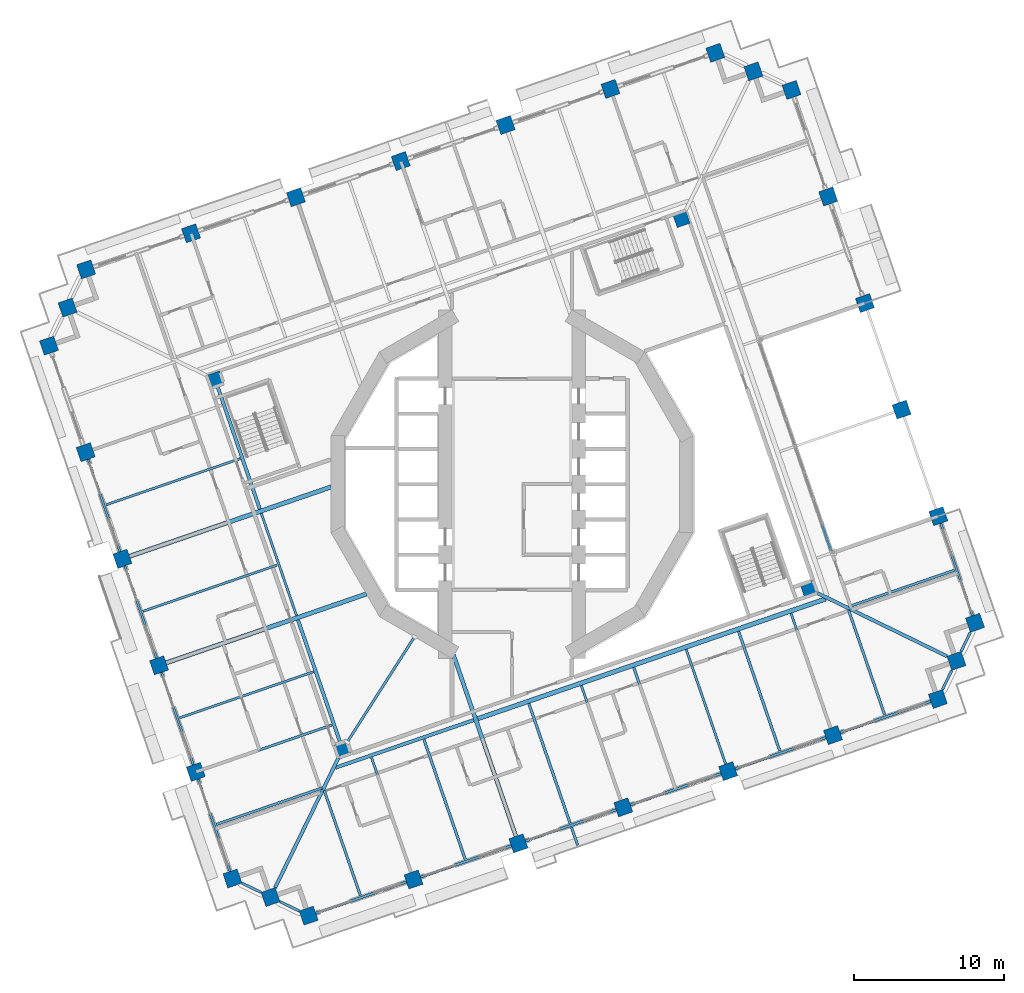
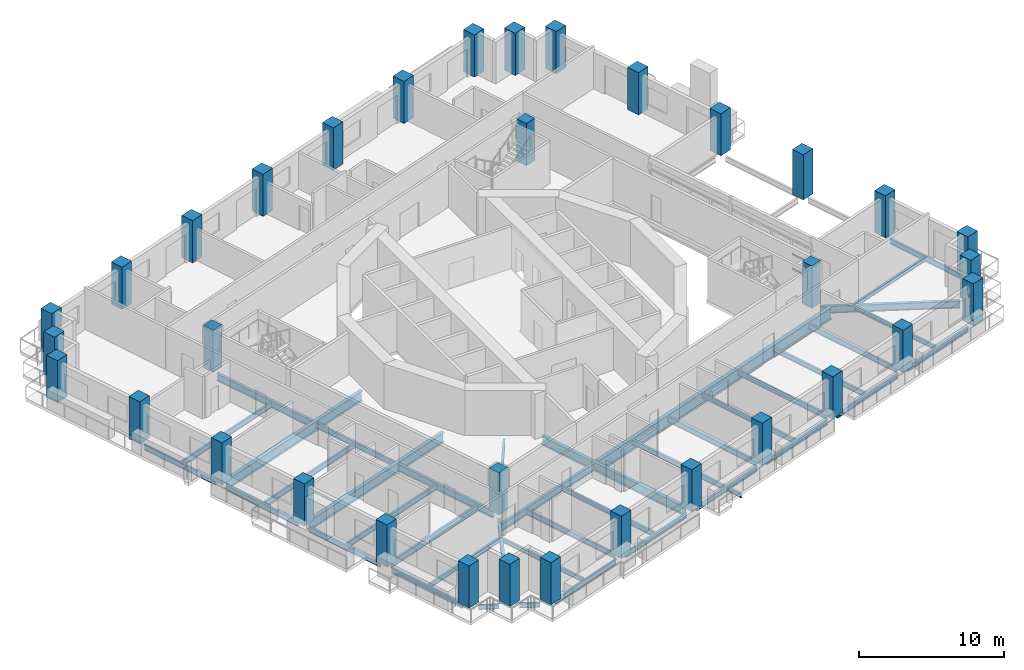
# One storey, part 1 of 22: 43 beams, 34 columns, 2 members, 1 element without a shape of its own.
"""IFC4 building model written with IfcOpenShell, lengths in metres."""

from ifc_helpers import new_model, si_unit, direction, frame, origin, origin_2d, place, context, subcontext, project, spatial, rectangle, i_section, extrude, material, material_profile, profile_set, type_object, element, aggregate, save


model = new_model("IFC4")

# Units and contexts
model_context = context("Model", 3, precision=1e-05, world=origin(), true_north=direction((0.0, 1.0)))
body_context = subcontext(model_context, "Body", "Model", "MODEL_VIEW")
ifc_project = project(units=[si_unit("LENGTHUNIT", "METRE"), si_unit("AREAUNIT", "SQUARE_METRE"), si_unit("VOLUMEUNIT", "CUBIC_METRE"), si_unit("PLANEANGLEUNIT", "RADIAN"), si_unit("MASSUNIT", "GRAM", prefix="KILO")], contexts=[model_context])

# Site, building, storey
site_placement = place(None, origin())
site = spatial("IfcSite", under=ifc_project, at=site_placement, CompositionType="ELEMENT")
building_placement = place(site_placement, origin())
building = spatial("IfcBuilding", under=site, at=building_placement, Name="Cantera Rosa Tower", CompositionType="ELEMENT")
storey_placement = place(building_placement, frame((0.0, 0.0, 115.5)))
storey = spatial("IfcBuildingStorey", under=building, at=storey_placement, Name="L23", CompositionType="ELEMENT", Elevation=115.5)

# Columns
ifc_material_1 = material(Name="Concrete C70/85", Category="concrete")
ifc_material_profile_1 = material_profile(ifc_material_1, rectangle(XDim=1.0, YDim=1.0, at=origin_2d()), Name="RC COLUMN RC1000X1000 C70/85")
ifc_profile_set_1 = profile_set([ifc_material_profile_1], Name="Concrete C70/85")
column_type_1 = type_object("IfcColumnType", Name="RC COLUMN RC1000X1000 C70/85", PredefinedType="COLUMN", material=ifc_profile_set_1)
for number, where, z_axis, x_axis, name in (
    (1, (30.893310546875, -9.245849609375, 0.0), (0.0, 0.0, 1.0), (0.945518575599, 0.325568154457, 0.0), "C-Z2-01 L23"),
    (2, (28.445068359375, -2.135498046875, 0.0), (0.0, 0.0, 1.0), (0.945518575599, 0.325568154457, 0.0), "C-Z2-02 L23"),
):
    element("IfcColumn", number, at=place(storey_placement, frame(where, z_axis=z_axis, x_axis=x_axis)), inside=storey, type_object=column_type_1, Name=name, PredefinedType="COLUMN", context=body_context, shape_type="SweptSolid", body=[
        extrude(rectangle(XDim=1.0, YDim=1.0, at=origin_2d()), origin(), (0.0, 0.0, 1.0), 3.550048828125),
    ])
column_placement = place(storey_placement, frame((25.996826171875, 4.974853515625, -0.25), z_axis=(0.0, 0.0, 1.0), x_axis=(0.945518575599, 0.325568154457, 0.0)))
element("IfcColumn", 3, at=column_placement, inside=storey, type_object=column_type_1, Name="C-Z2-03 L23", PredefinedType="COLUMN", context=body_context, shape_type="SweptSolid", body=[
    extrude(rectangle(XDim=1.0, YDim=1.0, at=origin_2d()), origin(), (0.0, 0.0, 1.0), 3.800048828125),
])
for number, where, z_axis, x_axis, name in (
    (4, (23.54833984375, 12.0849609375, 0.0), (0.0, 0.0, 1.0), (0.945518575599, 0.325568154457, 0.0), "C-Z2-04 L23"),
    (5, (21.10009765625, 19.1953125, 0.0), (0.0, 0.0, 1.0), (0.945518575599, 0.325568154457, 0.0), "C-Z2-05 L23"),
    (6, (18.65185546875, 26.3056640625, 0.0), (0.0, 0.0, 1.0), (0.945518575599, 0.325568154457, 0.0), "C-Z2-06 L23"),
    (7, (16.109619140625, 27.545654296875, 0.0), (0.0, 0.0, 1.0), (0.945518575599, 0.325568154457, 0.0), "C-Z2-07 L23"),
    (8, (13.567626953125, 28.785400390625, 0.0), (0.0, 0.0, 1.0), (0.945518575599, 0.325568154457, 0.0), "C-Z2-08 L23"),
    (9, (6.57080078125, 26.376220703125, 0.0), (0.0, 0.0, 1.0), (0.945518575599, 0.325568154457, 0.0), "C-Z2-09 L23"),
    (10, (-0.426025390625, 23.967041015625, 0.0), (0.0, 0.0, 1.0), (0.945518575599, 0.325568154457, 0.0), "C-Z2-10 L23"),
    (11, (-7.4228515625, 21.557861328125, 0.0), (0.0, 0.0, 1.0), (0.945518575599, 0.325568154457, 0.0), "C-Z2-11 L23"),
    (12, (-14.419677734375, 19.148681640625, 0.0), (0.0, 0.0, 1.0), (0.945518575599, 0.325568154457, 0.0), "C-Z2-12 L23"),
    (13, (-21.416748046875, 16.739501953125, 0.0), (0.0, 0.0, 1.0), (0.945518575599, 0.325568154457, 0.0), "C-Z2-13 L23"),
    (14, (-28.41357421875, 14.330322265625, 0.0), (0.0, 0.0, 1.0), (0.945518575599, 0.325568154457, 0.0), "C-Z2-14 L23"),
    (15, (-29.6533203125, 11.7880859375, 0.0), (0.0, 0.0, 1.0), (0.945518575599, 0.325568154457, 0.0), "C-Z2-15 L23"),
    (16, (-30.893310546875, 9.245849609375, 0.0), (0.0, 0.0, 1.0), (0.945518575599, 0.325568154457, 0.0), "C-Z2-16 L23"),
    (17, (-28.445068359375, 2.135498046875, 0.0), (0.0, 0.0, 1.0), (0.945518575599, 0.325568154457, 0.0), "C-Z2-17 L23"),
    (18, (-25.996826171875, -4.974853515625, 0.0), (0.0, 0.0, 1.0), (0.945518575599, 0.325568154457, 0.0), "C-Z2-18 L23"),
    (19, (-23.54833984375, -12.0849609375, 0.0), (0.0, 0.0, 1.0), (0.945518575599, 0.325568154457, 0.0), "C-Z2-19 L23"),
    (20, (-21.10009765625, -19.1953125, 0.0), (0.0, 0.0, 1.0), (0.945518575599, 0.325568154457, 0.0), "C-Z2-20 L23"),
    (21, (-18.65185546875, -26.3056640625, 0.0), (0.0, 0.0, 1.0), (0.945518575599, 0.325568154457, 0.0), "C-Z2-21 L23"),
    (22, (-16.109619140625, -27.545654296875, 0.0), (0.0, 0.0, 1.0), (0.945518575599, 0.325568154457, 0.0), "C-Z2-22 L23"),
    (23, (-13.567626953125, -28.785400390625, 0.0), (0.0, 0.0, 1.0), (0.945518575599, 0.325568154457, 0.0), "C-Z2-23 L23"),
    (24, (-6.57080078125, -26.376220703125, 0.0), (0.0, 0.0, 1.0), (0.945518575599, 0.325568154457, 0.0), "C-Z2-24 L23"),
    (25, (0.426025390625, -23.967041015625, 0.0), (0.0, 0.0, 1.0), (0.945518575599, 0.325568154457, 0.0), "C-Z2-25 L23"),
    (26, (7.4228515625, -21.557861328125, 0.0), (0.0, 0.0, 1.0), (0.945518575599, 0.325568154457, 0.0), "C-Z2-26 L23"),
    (27, (14.419677734375, -19.148681640625, 0.0), (0.0, 0.0, 1.0), (0.945518575599, 0.325568154457, 0.0), "C-Z2-27 L23"),
    (28, (21.416748046875, -16.739501953125, 0.0), (0.0, 0.0, 1.0), (0.945518575599, 0.325568154457, 0.0), "C-Z2-28 L23"),
    (29, (28.41357421875, -14.330322265625, 0.0), (0.0, 0.0, 1.0), (0.945518575599, 0.325568154457, 0.0), "C-Z2-29 L23"),
    (30, (29.6533203125, -11.7880859375, 0.0), (0.0, 0.0, 1.0), (0.945518575599, 0.325568154457, 0.0), "C-Z2-30 L23"),
):
    element("IfcColumn", number, at=place(storey_placement, frame(where, z_axis=z_axis, x_axis=x_axis)), inside=storey, type_object=column_type_1, Name=name, PredefinedType="COLUMN", context=body_context, shape_type="SweptSolid", body=[
        extrude(rectangle(XDim=1.0, YDim=1.0, at=origin_2d()), origin(), (0.0, 0.0, 1.0), 3.550048828125),
    ])
ifc_material_2 = material(Name="Concrete C70/85", Category="concrete")
ifc_material_profile_2 = material_profile(ifc_material_2, rectangle(XDim=0.89990234375, YDim=0.89990234375, at=origin_2d()), Name="RC RING COLUMN RC900X900 C70/85")
ifc_profile_set_2 = profile_set([ifc_material_profile_2], Name="Concrete C70/85")
column_type_2 = type_object("IfcColumnType", Name="RC RING COLUMN RC900X900 C70/85", PredefinedType="COLUMN", material=ifc_profile_set_2)
for number, where, z_axis, x_axis, name in (
    (31, (11.30517578125, 17.694580078125, 0.0), (0.0, 0.0, 1.0), (0.945518575599, 0.325568154457, 0.0), "CI-Z2-1 L23"),
    (32, (-19.802490234375, 6.9833984375, 0.0), (0.0, 0.0, 1.0), (0.945518575599, 0.325568154457, 0.0), "CI-Z2-2 L23"),
    (33, (-11.30517578125, -17.694580078125, 0.0), (0.0, 0.0, 1.0), (0.945518575599, 0.325568154457, 0.0), "CI-Z2-3 L23"),
    (34, (19.802490234375, -6.9833984375, 0.0), (0.0, 0.0, 1.0), (0.945518575599, 0.325568154457, 0.0), "CI-Z2-4 L23"),
):
    element("IfcColumn", number, at=place(storey_placement, frame(where, z_axis=z_axis, x_axis=x_axis)), inside=storey, type_object=column_type_2, Name=name, PredefinedType="COLUMN", context=body_context, shape_type="SweptSolid", body=[
        extrude(rectangle(XDim=0.89990234375, YDim=0.89990234375, at=origin_2d()), origin(), (0.0, 0.0, 1.0), 3.550048828125),
    ])

# Curtain wall, members
ifc_material_3 = material(Name="Aluminium frame with clear glass", Category="aluminium")
curtain_wall_type = type_object("IfcCurtainWallType", Name="CW1 TERRACE POCKET GLAZING", PredefinedType="NOTDEFINED", material=ifc_material_3)
curtain_wall_placement = place(storey_placement, origin())
curtain_wall = element("IfcCurtainWall", 35, at=curtain_wall_placement, inside=storey, type_object=curtain_wall_type, Name="CW1 CW1", PredefinedType="NOTDEFINED")
ifc_material_4 = material(Name="Anodised bronze aluminium", Category="aluminium")
ifc_material_profile_3 = material_profile(ifc_material_4, rectangle(XDim=0.06005859375, YDim=0.139892578125, at=origin_2d()), Name="CW-TRANSOM 60x140 POCKET")
ifc_profile_set_3 = profile_set([ifc_material_profile_3], Name="Anodised bronze aluminium")
member_type = type_object("IfcMemberType", Name="CW-TRANSOM 60x140 POCKET", PredefinedType="USERDEFINED", material=ifc_profile_set_3)
member_1_placement = place(storey_placement, frame((21.29345703125, -4.40234375, 0.030029296875), z_axis=(-0.325665527523, 0.945485041755, 0.0), x_axis=(-0.945485041755, -0.325665527523, 0.0)))
member_1 = element("IfcMember", 36, at=member_1_placement, type_object=member_type, Name="CW1 transom 1.1", ObjectType="TRANSOM", PredefinedType="USERDEFINED", context=body_context, shape_type="SweptSolid", body=[
    extrude(rectangle(XDim=0.06005859375, YDim=0.139892578125, at=origin_2d()), origin(), (0.0, 0.0, 1.0), 1.7587890625),
])
member_2_placement = place(storey_placement, frame((21.29345703125, -4.40234375, 1.239990234375), z_axis=(-0.325665527523, 0.945485041755, 0.0), x_axis=(-0.945485041755, -0.325665527523, 0.0)))
member_2 = element("IfcMember", 37, at=member_2_placement, type_object=member_type, Name="CW1 transom 1.2", ObjectType="TRANSOM", PredefinedType="USERDEFINED", context=body_context, shape_type="SweptSolid", body=[
    extrude(rectangle(XDim=0.06005859375, YDim=0.139892578125, at=origin_2d()), origin(), (0.0, 0.0, 1.0), 1.7587890625),
])
aggregate(curtain_wall, [member_1, member_2])

# Beams
ifc_material_5 = material(Name="Steel ASTM A992 (Fy 345 MPa)", Category="steel")
ifc_material_profile_4 = material_profile(ifc_material_5, i_section(OverallWidth=0.302001953125, OverallDepth=1.010009765625, WebThickness=0.02099609375, FlangeThickness=0.0400390625, FilletRadius=0.030029296875, at=origin_2d()), Name="W1000X350")
ifc_profile_set_4 = profile_set([ifc_material_profile_4], Name="Steel ASTM A992 (Fy 345 MPa)")
beam_type_1 = type_object("IfcBeamType", Name="STEEL BEAM W1000X350", PredefinedType="BEAM", material=ifc_profile_set_4)
beam_1_placement = place(storey_placement, frame((-2.28076171875, -15.64501953125, -0.7548828125), z_axis=(0.945515455567, 0.325577215547, 0.0), x_axis=(-0.325577215547, 0.945515455567, 0.0)))
element("IfcBeam", 38, at=beam_1_placement, inside=storey, type_object=beam_type_1, Name="RB-Z2-06 L23", PredefinedType="BEAM", context=body_context, shape_type="SweptSolid", body=[
    extrude(i_section(OverallWidth=0.302001953125, OverallDepth=1.010009765625, WebThickness=0.02099609375, FlangeThickness=0.0400390625, FilletRadius=0.030029296875, at=origin_2d()), origin(), (0.0, 0.0, 1.0), 24.550048828125),
])
ifc_material_6 = material(Name="Steel ASTM A992 (Fy 345 MPa)", Category="steel")
ifc_material_profile_5 = material_profile(ifc_material_6, i_section(OverallWidth=0.154052734375, OverallDepth=0.4599609375, WebThickness=0.009033203125, FlangeThickness=0.015380859375, FilletRadius=0.01025390625, at=origin_2d()), Name="W460X68")
ifc_profile_set_5 = profile_set([ifc_material_profile_5], Name="Steel ASTM A992 (Fy 345 MPa)")
beam_type_2 = type_object("IfcBeamType", Name="STEEL BEAM W460X68", PredefinedType="BEAM", material=ifc_profile_set_5)
for number, where, z_axis, x_axis, name in (
    (39, (-6.7333984375, -25.903564453125, -0.47998046875), (-0.325580085327, 0.945514467387, 0.0), (-0.945514467387, -0.325580085327, 0.0), "G-Z2-10 L23"),
    (40, (7.26025390625, -21.0849609375, -0.47998046875), (-0.325580085327, 0.945514467387, 0.0), (-0.945514467387, -0.325580085327, 0.0), "G-Z2-12 L23"),
    (41, (14.257080078125, -18.67578125, -0.47998046875), (-0.325580085327, 0.945514467387, 0.0), (-0.945514467387, -0.325580085327, 0.0), "G-Z2-13 L23"),
    (42, (21.25390625, -16.2666015625, -0.47998046875), (-0.325580085327, 0.945514467387, 0.0), (-0.945514467387, -0.325580085327, 0.0), "G-Z2-14 L23"),
):
    element("IfcBeam", number, at=place(storey_placement, frame(where, z_axis=z_axis, x_axis=x_axis)), inside=storey, type_object=beam_type_2, Name=name, PredefinedType="BEAM", context=body_context, shape_type="SweptSolid", body=[
        extrude(i_section(OverallWidth=0.154052734375, OverallDepth=0.4599609375, WebThickness=0.009033203125, FlangeThickness=0.015380859375, FilletRadius=0.01025390625, at=origin_2d()), origin(), (0.0, 0.0, 1.0), 8.10009765625),
    ])
beam_2_placement = place(storey_placement, frame((-14.37841796875, -8.768798828125, -0.47998046875), z_axis=(-0.325575881702, 0.94551591486, 0.0), x_axis=(-0.94551591486, -0.325575881702, 0.0)))
element("IfcBeam", 43, at=beam_2_placement, inside=storey, type_object=beam_type_2, Name="RB-Z2-09 L23", PredefinedType="BEAM", context=body_context, shape_type="SweptSolid", body=[
    extrude(i_section(OverallWidth=0.154052734375, OverallDepth=0.4599609375, WebThickness=0.009033203125, FlangeThickness=0.015380859375, FilletRadius=0.01025390625, at=origin_2d()), origin(), (0.0, 0.0, 1.0), 7.2197265625),
])
ifc_material_7 = material(Name="Steel ASTM A992 (Fy 345 MPa)", Category="steel")
ifc_material_profile_6 = material_profile(ifc_material_7, i_section(OverallWidth=0.166015625, OverallDepth=0.528076171875, WebThickness=0.009765625, FlangeThickness=0.013671875, FilletRadius=0.0126953125, at=origin_2d()), Name="W530X74")
ifc_profile_set_6 = profile_set([ifc_material_profile_6], Name="Steel ASTM A992 (Fy 345 MPa)")
beam_type_3 = type_object("IfcBeamType", Name="STEEL BEAM W530X74", PredefinedType="BEAM", material=ifc_profile_set_6)
beam_3_placement = place(storey_placement, frame((-20.62744140625, -19.032470703125, -0.513916015625), z_axis=(0.94551971591, 0.325564842737, 0.0), x_axis=(-0.325564842737, 0.94551971591, 0.0)))
element("IfcBeam", 44, at=beam_3_placement, inside=storey, type_object=beam_type_3, Name="G-Z2-18 L23", PredefinedType="BEAM", context=body_context, shape_type="SweptSolid", body=[
    extrude(i_section(OverallWidth=0.166015625, OverallDepth=0.528076171875, WebThickness=0.009765625, FlangeThickness=0.013671875, FilletRadius=0.0126953125, at=origin_2d()), origin(), (0.0, 0.0, 1.0), 9.10009765625),
])
beam_4_placement = place(storey_placement, frame((-10.995849609375, -17.21044921875, -0.513916015625), z_axis=(0.538396209095, 0.842691830999, 0.0), x_axis=(-0.842691830999, 0.538396209095, 0.0)))
element("IfcBeam", 45, at=beam_4_placement, inside=storey, type_object=beam_type_3, Name="PG-Z2-01 L23", PredefinedType="BEAM", context=body_context, shape_type="SweptSolid", body=[
    extrude(i_section(OverallWidth=0.166015625, OverallDepth=0.528076171875, WebThickness=0.009765625, FlangeThickness=0.013671875, FilletRadius=0.0126953125, at=origin_2d()), origin(), (0.0, 0.0, 1.0), 8.3369140625),
])
ifc_material_8 = material(Name="Steel ASTM A992 (Fy 345 MPa)", Category="steel")
ifc_material_profile_7 = material_profile(ifc_material_8, i_section(OverallWidth=0.22802734375, OverallDepth=0.60205078125, WebThickness=0.010498046875, FlangeThickness=0.014892578125, FilletRadius=0.0126953125, at=origin_2d()), Name="W610X101")
ifc_profile_set_7 = profile_set([ifc_material_profile_7], Name="Steel ASTM A992 (Fy 345 MPa)")
beam_type_4 = type_object("IfcBeamType", Name="STEEL BEAM W610X101", PredefinedType="BEAM", material=ifc_profile_set_7)
beam_5_placement = place(storey_placement, frame((-15.7998046875, -26.909912109375, -0.551025390625), z_axis=(0.438387618569, 0.898786012288, 0.0), x_axis=(-0.898786012288, 0.438387618569, 0.0)))
element("IfcBeam", 46, at=beam_5_placement, inside=storey, type_object=beam_type_4, Name="CB-Z2-03 L23", PredefinedType="BEAM", context=body_context, shape_type="SweptSolid", body=[
    extrude(i_section(OverallWidth=0.22802734375, OverallDepth=0.60205078125, WebThickness=0.010498046875, FlangeThickness=0.014892578125, FilletRadius=0.0126953125, at=origin_2d()), origin(), (0.0, 0.0, 1.0), 9.61669921875),
])
beam_6_placement = place(storey_placement, frame((29.017822265625, -11.47802734375, -0.551025390625), z_axis=(-0.898796015179, 0.438367109965, 0.0), x_axis=(-0.438367109965, -0.898796015179, 0.0)))
element("IfcBeam", 47, at=beam_6_placement, inside=storey, type_object=beam_type_4, Name="CB-Z2-04 L23", PredefinedType="BEAM", context=body_context, shape_type="SweptSolid", body=[
    extrude(i_section(OverallWidth=0.22802734375, OverallDepth=0.60205078125, WebThickness=0.010498046875, FlangeThickness=0.014892578125, FilletRadius=0.0126953125, at=origin_2d()), origin(), (0.0, 0.0, 1.0), 9.616455078125),
])
for number, where, z_axis, x_axis, name in (
    (48, (-11.45166015625, -17.26904296875, -0.551025390625), (-0.325559468466, 0.945521566381, 0.0), (-0.945521566381, -0.325559468466, 0.0), "RB-Z2-08 L23"),
    (49, (-16.82666015625, -1.65869140625, -0.551025390625), (-0.325584584945, 0.945512917969, 0.0), (-0.945512917969, -0.325584584945, 0.0), "RB-Z2-10 L23"),
):
    element("IfcBeam", number, at=place(storey_placement, frame(where, z_axis=z_axis, x_axis=x_axis)), inside=storey, type_object=beam_type_4, Name=name, PredefinedType="BEAM", context=body_context, shape_type="SweptSolid", body=[
        extrude(i_section(OverallWidth=0.22802734375, OverallDepth=0.60205078125, WebThickness=0.010498046875, FlangeThickness=0.014892578125, FilletRadius=0.0126953125, at=origin_2d()), origin(), (0.0, 0.0, 1.0), 8.68994140625),
    ])
ifc_material_9 = material(Name="Steel ASTM A992 (Fy 345 MPa)", Category="steel")
ifc_material_profile_8 = material_profile(ifc_material_9, i_section(OverallWidth=0.22900390625, OverallDepth=0.612060546875, WebThickness=0.011962890625, FlangeThickness=0.01953125, FilletRadius=0.0126953125, at=origin_2d()), Name="W610X125")
ifc_profile_set_8 = profile_set([ifc_material_profile_8], Name="Steel ASTM A992 (Fy 345 MPa)")
beam_type_5 = type_object("IfcBeamType", Name="STEEL BEAM W610X125", PredefinedType="BEAM", material=ifc_profile_set_8)
beam_7_placement = place(storey_placement, frame((-11.783203125, -18.916748046875, -0.555908203125), z_axis=(0.945524824291, 0.325550006372, 0.0), x_axis=(-0.325550006372, 0.945524824291, 0.0)))
element("IfcBeam", 50, at=beam_7_placement, inside=storey, type_object=beam_type_5, Name="RB-Z2-05 L23", PredefinedType="BEAM", context=body_context, shape_type="SweptSolid", body=[
    extrude(i_section(OverallWidth=0.22900390625, OverallDepth=0.612060546875, WebThickness=0.011962890625, FlangeThickness=0.01953125, FilletRadius=0.0126953125, at=origin_2d()), origin(), (0.0, 0.0, 1.0), 9.749755859375),
])
ifc_material_10 = material(Name="Steel ASTM A992 (Fy 345 MPa)", Category="steel")
ifc_material_profile_9 = material_profile(ifc_material_10, i_section(OverallWidth=0.26708984375, OverallDepth=0.75390625, WebThickness=0.01318359375, FlangeThickness=0.01708984375, FilletRadius=0.0166015625, at=origin_2d()), Name="W760X147")
ifc_profile_set_9 = profile_set([ifc_material_profile_9], Name="Steel ASTM A992 (Fy 345 MPa)")
beam_type_6 = type_object("IfcBeamType", Name="STEEL BEAM W760X147", PredefinedType="BEAM", material=ifc_profile_set_9)
beam_8_placement = place(storey_placement, frame((0.263427734375, -23.494384765625, -0.626953125), z_axis=(-0.325569500581, 0.945518112091, 0.0), x_axis=(-0.945518112091, -0.325569500581, 0.0)))
element("IfcBeam", 51, at=beam_8_placement, inside=storey, type_object=beam_type_6, Name="G-Z2-11 L23", PredefinedType="BEAM", context=body_context, shape_type="SweptSolid", body=[
    extrude(i_section(OverallWidth=0.26708984375, OverallDepth=0.75390625, WebThickness=0.01318359375, FlangeThickness=0.01708984375, FilletRadius=0.0166015625, at=origin_2d()), origin(), (0.0, 0.0, 1.0), 13.09521484375),
])
ifc_material_11 = material(Name="Steel ASTM A992 (Fy 345 MPa)", Category="steel")
ifc_material_profile_10 = material_profile(ifc_material_11, i_section(OverallWidth=0.2919921875, OverallDepth=0.8359375, WebThickness=0.013916015625, FlangeThickness=0.018798828125, FilletRadius=0.017822265625, at=origin_2d()), Name="W840X176")
ifc_profile_set_10 = profile_set([ifc_material_profile_10], Name="Steel ASTM A992 (Fy 345 MPa)")
beam_type_7 = type_object("IfcBeamType", Name="STEEL BEAM W840X176", PredefinedType="BEAM", material=ifc_profile_set_10)
beam_9_placement = place(storey_placement, frame((-25.52392578125, -4.81201171875, -0.66796875), z_axis=(0.945515154884, 0.325578088765, 0.0), x_axis=(-0.325578088765, 0.945515154884, 0.0)))
element("IfcBeam", 52, at=beam_9_placement, inside=storey, type_object=beam_type_7, Name="G-Z2-16 L23", PredefinedType="BEAM", context=body_context, shape_type="SweptSolid", body=[
    extrude(i_section(OverallWidth=0.2919921875, OverallDepth=0.8359375, WebThickness=0.013916015625, FlangeThickness=0.018798828125, FilletRadius=0.017822265625, at=origin_2d()), origin(), (0.0, 0.0, 1.0), 14.22509765625),
])
beam_10_placement = place(storey_placement, frame((-23.07568359375, -11.92236328125, -0.66796875), z_axis=(0.945516836256, 0.325573205833, 0.0), x_axis=(-0.325573205833, 0.945516836256, 0.0)))
element("IfcBeam", 53, at=beam_10_placement, inside=storey, type_object=beam_type_7, Name="G-Z2-17 L23", PredefinedType="BEAM", context=body_context, shape_type="SweptSolid", body=[
    extrude(i_section(OverallWidth=0.2919921875, OverallDepth=0.8359375, WebThickness=0.013916015625, FlangeThickness=0.018798828125, FilletRadius=0.017822265625, at=origin_2d()), origin(), (0.0, 0.0, 1.0), 14.130615234375),
])
ifc_material_12 = material(Name="Steel ASTM A992 (Fy 345 MPa)", Category="steel")
ifc_material_profile_11 = material_profile(ifc_material_12, i_section(OverallWidth=0.1708984375, OverallDepth=0.35595703125, WebThickness=0.00732421875, FlangeThickness=0.01171875, FilletRadius=0.010009765625, at=origin_2d()), Name="W360X51")
ifc_profile_set_11 = profile_set([ifc_material_profile_11], Name="Steel ASTM A992 (Fy 345 MPa)")
beam_type_8 = type_object("IfcBeamType", Name="STEEL JOIST W360X51", PredefinedType="JOIST", material=ifc_profile_set_11)
beam_11_placement = place(storey_placement, frame((29.52734375, -5.739501953125, -0.427978515625), z_axis=(-0.945521732807, -0.325558985116, 0.0), x_axis=(0.325558985116, -0.945521732807, 0.0)))
element("IfcBeam", 54, at=beam_11_placement, inside=storey, type_object=beam_type_8, Name="B-Z2-01 L23", PredefinedType="JOIST", context=body_context, shape_type="SweptSolid", body=[
    extrude(i_section(OverallWidth=0.1708984375, OverallDepth=0.35595703125, WebThickness=0.00732421875, FlangeThickness=0.01171875, FilletRadius=0.010009765625, at=origin_2d()), origin(), (0.0, 0.0, 1.0), 7.460205078125),
])
for number, where, z_axis, x_axis, name in (
    (55, (-10.117919921875, -27.43896484375, -0.427978515625), (-0.325565645331, 0.945519439557, 0.0), (-0.945519439557, -0.325565645331, 0.0), "B-Z2-12 L23"),
    (56, (24.8662109375, -15.39306640625, -0.427978515625), (-0.325565645331, 0.945519439557, 0.0), (-0.945519439557, -0.325565645331, 0.0), "B-Z2-17 L23"),
):
    element("IfcBeam", number, at=place(storey_placement, frame(where, z_axis=z_axis, x_axis=x_axis)), inside=storey, type_object=beam_type_8, Name=name, PredefinedType="JOIST", context=body_context, shape_type="SweptSolid", body=[
        extrude(i_section(OverallWidth=0.1708984375, OverallDepth=0.35595703125, WebThickness=0.00732421875, FlangeThickness=0.01171875, FilletRadius=0.010009765625, at=origin_2d()), origin(), (0.0, 0.0, 1.0), 7.39990234375),
    ])
beam_12_placement = place(storey_placement, frame((-19.734130859375, -22.70166015625, -0.427978515625), z_axis=(0.945518264054, 0.32556905925, 0.0), x_axis=(-0.32556905925, 0.945518264054, 0.0)))
element("IfcBeam", 57, at=beam_12_placement, inside=storey, type_object=beam_type_8, Name="B-Z2-22 L23", PredefinedType="JOIST", context=body_context, shape_type="SweptSolid", body=[
    extrude(i_section(OverallWidth=0.1708984375, OverallDepth=0.35595703125, WebThickness=0.00732421875, FlangeThickness=0.01171875, FilletRadius=0.010009765625, at=origin_2d()), origin(), (0.0, 0.0, 1.0), 7.4599609375),
])
beam_13_placement = place(storey_placement, frame((3.966796875, -22.88525390625, -0.427978515625), z_axis=(0.3256515674, -0.945489850104, 0.0), x_axis=(0.945489850104, 0.3256515674, 0.0)))
element("IfcBeam", 58, at=beam_13_placement, inside=storey, type_object=beam_type_8, Name="BS-Z2-07 L23", PredefinedType="JOIST", context=body_context, shape_type="SweptSolid", body=[
    extrude(i_section(OverallWidth=0.1708984375, OverallDepth=0.35595703125, WebThickness=0.00732421875, FlangeThickness=0.01171875, FilletRadius=0.010009765625, at=origin_2d()), origin(), (0.0, 0.0, 1.0), 1.2646484375),
])
ifc_material_13 = material(Name="Steel ASTM A992 (Fy 345 MPa)", Category="steel")
ifc_material_profile_12 = material_profile(ifc_material_13, i_section(OverallWidth=0.177978515625, OverallDepth=0.406005859375, WebThickness=0.0078125, FlangeThickness=0.0126953125, FilletRadius=0.01025390625, at=origin_2d()), Name="W410X60")
ifc_profile_set_12 = profile_set([ifc_material_profile_12], Name="Steel ASTM A992 (Fy 345 MPa)")
beam_type_9 = type_object("IfcBeamType", Name="STEEL JOIST W410X60", PredefinedType="JOIST", material=ifc_profile_set_12)
beam_14_placement = place(storey_placement, frame((-3.12109375, -25.02978515625, -0.452880859375), z_axis=(-0.325565025235, 0.945519653071, 0.0), x_axis=(-0.945519653071, -0.325565025235, 0.0)))
element("IfcBeam", 59, at=beam_14_placement, inside=storey, type_object=beam_type_9, Name="B-Z2-13 L23", PredefinedType="JOIST", context=body_context, shape_type="SweptSolid", body=[
    extrude(i_section(OverallWidth=0.177978515625, OverallDepth=0.406005859375, WebThickness=0.0078125, FlangeThickness=0.0126953125, FilletRadius=0.01025390625, at=origin_2d()), origin(), (0.0, 0.0, 1.0), 8.449951171875),
])
for number, where, z_axis, x_axis, name in (
    (60, (3.875732421875, -22.62060546875, -0.452880859375), (-0.325556131421, 0.945522715377, 0.0), (-0.945522715377, -0.325556131421, 0.0), "B-Z2-14 L23"),
    (61, (10.87255859375, -20.21142578125, -0.452880859375), (-0.325556131421, 0.945522715377, 0.0), (-0.945522715377, -0.325556131421, 0.0), "B-Z2-15 L23"),
    (62, (17.869384765625, -17.80224609375, -0.452880859375), (-0.325556131421, 0.945522715377, 0.0), (-0.945522715377, -0.325556131421, 0.0), "B-Z2-16 L23"),
):
    element("IfcBeam", number, at=place(storey_placement, frame(where, z_axis=z_axis, x_axis=x_axis)), inside=storey, type_object=beam_type_9, Name=name, PredefinedType="JOIST", context=body_context, shape_type="SweptSolid", body=[
        extrude(i_section(OverallWidth=0.177978515625, OverallDepth=0.406005859375, WebThickness=0.0078125, FlangeThickness=0.0126953125, FilletRadius=0.01025390625, at=origin_2d()), origin(), (0.0, 0.0, 1.0), 8.4501953125),
    ])
ifc_material_14 = material(Name="Steel ASTM A992 (Fy 345 MPa)", Category="steel")
ifc_material_profile_13 = material_profile(ifc_material_14, i_section(OverallWidth=0.154052734375, OverallDepth=0.4599609375, WebThickness=0.009033203125, FlangeThickness=0.015380859375, FilletRadius=0.01025390625, at=origin_2d()), Name="W460X68")
ifc_profile_set_13 = profile_set([ifc_material_profile_13], Name="Steel ASTM A992 (Fy 345 MPa)")
beam_type_10 = type_object("IfcBeamType", Name="STEEL JOIST W460X68", PredefinedType="JOIST", material=ifc_profile_set_13)
for number, where, z_axis, x_axis, name in (
    (63, (-27.0791015625, -1.370849609375, -0.47998046875), (0.945518943957, 0.325567084667, 0.0), (-0.325567084667, 0.945518943957, 0.0), "B-Z2-19 L23"),
    (64, (-24.630859375, -8.48095703125, -0.47998046875), (0.945526896389, 0.325543988125, 0.0), (-0.325543988125, 0.945526896389, 0.0), "B-Z2-20 L23"),
):
    element("IfcBeam", number, at=place(storey_placement, frame(where, z_axis=z_axis, x_axis=x_axis)), inside=storey, type_object=beam_type_10, Name=name, PredefinedType="JOIST", context=body_context, shape_type="SweptSolid", body=[
        extrude(i_section(OverallWidth=0.154052734375, OverallDepth=0.4599609375, WebThickness=0.009033203125, FlangeThickness=0.015380859375, FilletRadius=0.01025390625, at=origin_2d()), origin(), (0.0, 0.0, 1.0), 9.4501953125),
    ])
beam_15_placement = place(storey_placement, frame((-22.182373046875, -15.59130859375, -0.47998046875), z_axis=(0.94551620555, 0.325575037498, 0.0), x_axis=(-0.325575037498, 0.94551620555, 0.0)))
element("IfcBeam", 65, at=beam_15_placement, inside=storey, type_object=beam_type_10, Name="B-Z2-21 L23", PredefinedType="JOIST", context=body_context, shape_type="SweptSolid", body=[
    extrude(i_section(OverallWidth=0.154052734375, OverallDepth=0.4599609375, WebThickness=0.009033203125, FlangeThickness=0.015380859375, FilletRadius=0.01025390625, at=origin_2d()), origin(), (0.0, 0.0, 1.0), 9.449951171875),
])
ifc_material_15 = material(Name="Steel ASTM A992 (Fy 345 MPa)", Category="steel")
ifc_material_profile_14 = material_profile(ifc_material_15, i_section(OverallWidth=0.1708984375, OverallDepth=0.35595703125, WebThickness=0.00732421875, FlangeThickness=0.01171875, FilletRadius=0.010009765625, at=origin_2d()), Name="W360X51")
ifc_profile_set_14 = profile_set([ifc_material_profile_14], Name="Steel ASTM A992 (Fy 345 MPa)")
beam_type_11 = type_object("IfcBeamType", Name="STEEL SPANDREL BEAM W360X51", PredefinedType="SPANDREL", material=ifc_profile_set_14)
for number, where, z_axis, x_axis, name in (
    (66, (-18.016357421875, -26.61572265625, -0.427978515625), (0.898803287583, -0.438352198842, 0.0), (0.438352198842, 0.898803287583, 0.0), "EB-Z2-21 L23"),
    (67, (-15.47412109375, -27.85546875, -0.427978515625), (0.898803287583, -0.438352198842, 0.0), (0.438352198842, 0.898803287583, 0.0), "EB-Z2-22 L23"),
):
    element("IfcBeam", number, at=place(storey_placement, frame(where, z_axis=z_axis, x_axis=x_axis)), inside=storey, type_object=beam_type_11, Name=name, PredefinedType="SPANDREL", context=body_context, shape_type="SweptSolid", body=[
        extrude(i_section(OverallWidth=0.1708984375, OverallDepth=0.35595703125, WebThickness=0.00732421875, FlangeThickness=0.01171875, FilletRadius=0.010009765625, at=origin_2d()), origin(), (0.0, 0.0, 1.0), 1.4140625),
    ])
for number, where, z_axis, x_axis, name in (
    (68, (28.723388671875, -13.694580078125, -0.427978515625), (0.438491655897, 0.898735260079, 0.0), (-0.898735260079, 0.438491655897, 0.0), "EB-Z2-29 L23"),
    (69, (29.96337890625, -11.152587890625, -0.427978515625), (0.438284186308, 0.898836454552, 0.0), (-0.898836454552, 0.438284186308, 0.0), "EB-Z2-30 L23"),
):
    element("IfcBeam", number, at=place(storey_placement, frame(where, z_axis=z_axis, x_axis=x_axis)), inside=storey, type_object=beam_type_11, Name=name, PredefinedType="SPANDREL", context=body_context, shape_type="SweptSolid", body=[
        extrude(i_section(OverallWidth=0.1708984375, OverallDepth=0.35595703125, WebThickness=0.00732421875, FlangeThickness=0.01171875, FilletRadius=0.010009765625, at=origin_2d()), origin(), (0.0, 0.0, 1.0), 1.414306640625),
    ])
ifc_material_16 = material(Name="Steel ASTM A992 (Fy 345 MPa)", Category="steel")
ifc_material_profile_15 = material_profile(ifc_material_16, i_section(OverallWidth=0.177978515625, OverallDepth=0.406005859375, WebThickness=0.0078125, FlangeThickness=0.0126953125, FilletRadius=0.01025390625, at=origin_2d()), Name="W410X60")
ifc_profile_set_15 = profile_set([ifc_material_profile_15], Name="Steel ASTM A992 (Fy 345 MPa)")
beam_type_12 = type_object("IfcBeamType", Name="STEEL SPANDREL BEAM W410X60", PredefinedType="SPANDREL", material=ifc_profile_set_15)
for number, where, z_axis, x_axis, name in (
    (70, (-13.0947265625, -28.62255859375, -0.452880859375), (0.945524496524, 0.325550958337, 0.0), (-0.325550958337, 0.945524496524, 0.0), "EB-Z2-23 L23"),
    (71, (-6.097900390625, -26.21337890625, -0.452880859375), (0.945524496524, 0.325550958337, 0.0), (-0.325550958337, 0.945524496524, 0.0), "EB-Z2-24 L23"),
    (72, (0.89892578125, -23.80419921875, -0.452880859375), (0.945524496524, 0.325550958337, 0.0), (-0.325550958337, 0.945524496524, 0.0), "EB-Z2-25 L23"),
    (73, (7.895751953125, -21.39501953125, -0.452880859375), (0.945524496524, 0.325550958337, 0.0), (-0.325550958337, 0.945524496524, 0.0), "EB-Z2-26 L23"),
    (74, (14.892578125, -18.98583984375, -0.452880859375), (0.945512753621, 0.325585062219, 0.0), (-0.325585062219, 0.945512753621, 0.0), "EB-Z2-27 L23"),
    (75, (21.889404296875, -16.57666015625, -0.452880859375), (0.945512753621, 0.325585062219, 0.0), (-0.325585062219, 0.945512753621, 0.0), "EB-Z2-28 L23"),
):
    element("IfcBeam", number, at=place(storey_placement, frame(where, z_axis=z_axis, x_axis=x_axis)), inside=storey, type_object=beam_type_12, Name=name, PredefinedType="SPANDREL", context=body_context, shape_type="SweptSolid", body=[
        extrude(i_section(OverallWidth=0.177978515625, OverallDepth=0.406005859375, WebThickness=0.0078125, FlangeThickness=0.0126953125, FilletRadius=0.01025390625, at=origin_2d()), origin(), (0.0, 0.0, 1.0), 6.39990234375),
    ])
ifc_material_17 = material(Name="Steel ASTM A992 (Fy 345 MPa)", Category="steel")
ifc_material_profile_16 = material_profile(ifc_material_17, i_section(OverallWidth=0.154052734375, OverallDepth=0.4599609375, WebThickness=0.009033203125, FlangeThickness=0.015380859375, FilletRadius=0.01025390625, at=origin_2d()), Name="W460X68")
ifc_profile_set_16 = profile_set([ifc_material_profile_16], Name="Steel ASTM A992 (Fy 345 MPa)")
beam_type_13 = type_object("IfcBeamType", Name="STEEL SPANDREL BEAM W460X68", PredefinedType="SPANDREL", material=ifc_profile_set_16)
for number, where, z_axis, x_axis, name in (
    (76, (30.73046875, -8.773193359375, -0.47998046875), (-0.325580990241, 0.945514155787, 0.0), (-0.945514155787, -0.325580990241, 0.0), "EB-Z2-01 L23"),
    (77, (-28.2822265625, 1.662841796875, -0.47998046875), (0.325580990241, -0.945514155787, 0.0), (0.945514155787, 0.325580990241, 0.0), "EB-Z2-17 L23"),
    (78, (-25.833984375, -5.447509765625, -0.47998046875), (0.325580990241, -0.945514155787, 0.0), (0.945514155787, 0.325580990241, 0.0), "EB-Z2-18 L23"),
    (79, (-23.3857421875, -12.557861328125, -0.47998046875), (0.325580990241, -0.945514155787, 0.0), (0.945514155787, 0.325580990241, 0.0), "EB-Z2-19 L23"),
):
    element("IfcBeam", number, at=place(storey_placement, frame(where, z_axis=z_axis, x_axis=x_axis)), inside=storey, type_object=beam_type_13, Name=name, PredefinedType="SPANDREL", context=body_context, shape_type="SweptSolid", body=[
        extrude(i_section(OverallWidth=0.154052734375, OverallDepth=0.4599609375, WebThickness=0.009033203125, FlangeThickness=0.015380859375, FilletRadius=0.01025390625, at=origin_2d()), origin(), (0.0, 0.0, 1.0), 6.52001953125),
    ])
beam_16_placement = place(storey_placement, frame((-20.9375, -19.668212890625, -0.47998046875), z_axis=(0.325592517631, -0.945510186335, 0.0), x_axis=(0.945510186335, 0.325592517631, 0.0)))
element("IfcBeam", 80, at=beam_16_placement, inside=storey, type_object=beam_type_13, Name="EB-Z2-20 L23", PredefinedType="SPANDREL", context=body_context, shape_type="SweptSolid", body=[
    extrude(i_section(OverallWidth=0.154052734375, OverallDepth=0.4599609375, WebThickness=0.009033203125, FlangeThickness=0.015380859375, FilletRadius=0.01025390625, at=origin_2d()), origin(), (0.0, 0.0, 1.0), 6.519775390625),
])

save(model, "model.ifc")
